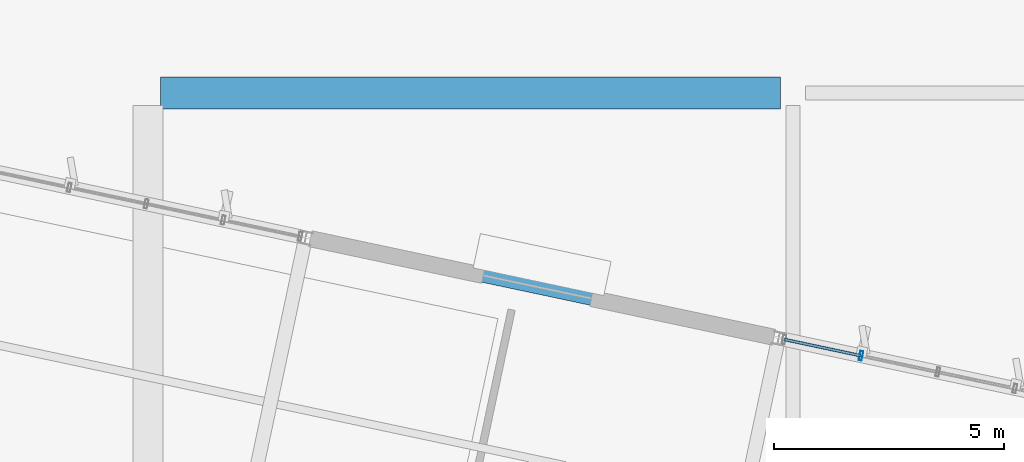
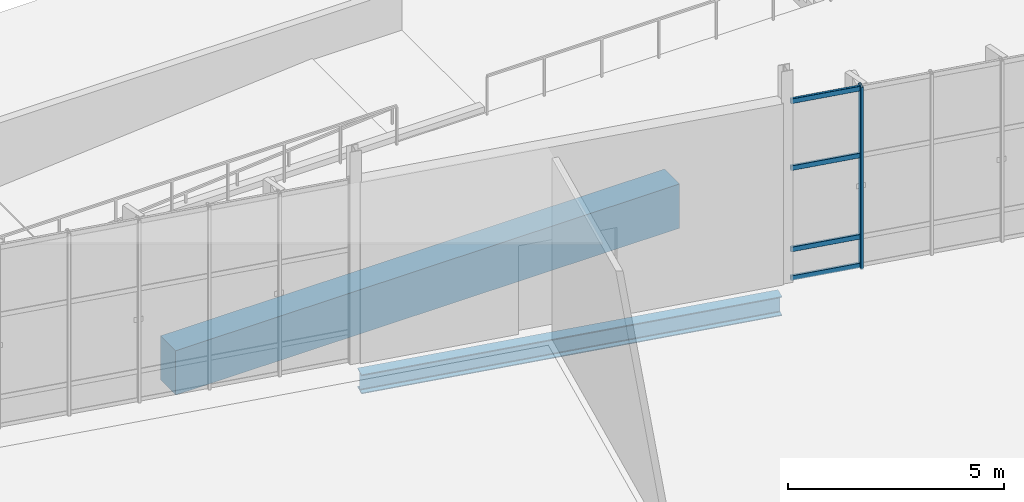
# One storey, part 57 of 163: 5 members, 2 beams, 1 element without a shape of its own.
"""IFC4 building model written with IfcOpenShell, lengths in metres."""

from ifc_helpers import new_model, si_unit, direction, frame, origin, origin_2d, place, context, subcontext, project, spatial, rectangle, hollow_rectangle, i_section, extrude, material, layer, layer_set, material_profile, profile_set, type_object, element, aggregate, save


model = new_model("IFC4")

# Units and contexts
model_context = context("Model", 3, precision=1e-05, world=origin(), true_north=direction((0.0, 1.0)))
body_context = subcontext(model_context, "Body", "Model", "MODEL_VIEW")
ifc_project = project(units=[si_unit("LENGTHUNIT", "METRE"), si_unit("AREAUNIT", "SQUARE_METRE"), si_unit("VOLUMEUNIT", "CUBIC_METRE"), si_unit("PLANEANGLEUNIT", "RADIAN"), si_unit("MASSUNIT", "GRAM", prefix="KILO")], contexts=[model_context])

# Site, building, storey
site_placement = place(None, origin())
site = spatial("IfcSite", under=ifc_project, at=site_placement, CompositionType="ELEMENT")
building_placement = place(site_placement, origin())
building = spatial("IfcBuilding", under=site, at=building_placement, Name="Khorjan Park Terminus", CompositionType="ELEMENT")
storey_placement = place(building_placement, origin())
storey = spatial("IfcBuildingStorey", under=building, at=storey_placement, Name="L00", CompositionType="ELEMENT", Elevation=0.0)

# Beams
ifc_material_1 = material(Name="Steel S355", Category="steel")
ifc_material_profile_1 = material_profile(ifc_material_1, i_section(OverallWidth=0.3, OverallDepth=0.54, WebThickness=0.0125, FlangeThickness=0.024, FilletRadius=0.027, at=origin_2d()), Name="HEA 550")
ifc_profile_set_1 = profile_set([ifc_material_profile_1], Name="Steel S355")
beam_type_1 = type_object("IfcBeamType", Name="BM-HEA550", PredefinedType="BEAM", material=ifc_profile_set_1)
beam_1_placement = place(storey_placement, frame((13.5507, 82.8274, -0.61), z_axis=(0.978146551768, -0.207916625754, 0.0), x_axis=(0.207916625754, 0.978146551768, 0.0)))
element("IfcBeam", 1, at=beam_1_placement, inside=storey, type_object=beam_type_1, Name="Primary skew-grid floor girder SB-A55 (L00)", PredefinedType="BEAM", context=body_context, shape_type="SweptSolid", body=[
    extrude(i_section(OverallWidth=0.3, OverallDepth=0.54, WebThickness=0.0125, FlangeThickness=0.024, FilletRadius=0.027, at=origin_2d()), origin(), (0.0, 0.0, 1.0), 10.2301),
])
ifc_material_2 = material(Name="Concrete C40/50", Category="concrete")
ifc_material_profile_2 = material_profile(ifc_material_2, rectangle(XDim=0.7, YDim=1.25, at=origin_2d()), Name="RC 700x1250")
ifc_profile_set_2 = profile_set([ifc_material_profile_2], Name="Concrete C40/50")
beam_type_2 = type_object("IfcBeamType", Name="BM-RC700x1250", PredefinedType="BEAM", material=ifc_profile_set_2)
beam_2_placement = place(storey_placement, frame((10.27, 86.0, -0.945), z_axis=(1.0, 0.0, 0.0), x_axis=(0.0, 1.0, 0.0)))
element("IfcBeam", 2, at=beam_2_placement, inside=storey, type_object=beam_type_2, Name="Primary floor girder GB-125 (L00)", PredefinedType="BEAM", context=body_context, shape_type="SweptSolid", body=[
    extrude(rectangle(XDim=0.7, YDim=1.25, at=origin_2d()), origin(), (0.0, 0.0, 1.0), 13.46),
])

# Curtain wall, members
ifc_material_3 = material(Name="Anodized Bronze Aluminium", Category="aluminium")
ifc_layer = layer(ifc_material_3, 0.22)
ifc_layer_set = layer_set([ifc_layer], Name="Anodized Bronze Aluminium")
curtain_wall_type = type_object("IfcCurtainWallType", Name="CW-PAV-C", PredefinedType="NOTDEFINED", material=ifc_layer_set)
curtain_wall_placement = place(storey_placement, origin())
curtain_wall = element("IfcCurtainWall", 3, at=curtain_wall_placement, inside=storey, type_object=curtain_wall_type, Name="Unitized curtain wall CW-C (CW-V4-N-L00-B01)", PredefinedType="NOTDEFINED")
ifc_material_profile_3 = material_profile(ifc_material_3, hollow_rectangle(XDim=0.07, YDim=0.2, WallThickness=0.005, InnerFilletRadius=0.005, OuterFilletRadius=0.01, at=origin_2d()), Name="ALM 70x200x5")
ifc_profile_set_3 = profile_set([ifc_material_profile_3], Name="Anodized Bronze Aluminium")
member_type_1 = type_object("IfcMemberType", Name="ML-ALM-200", PredefinedType="MULLION", material=ifc_profile_set_3)
member_1_placement = place(storey_placement, frame((25.4775, 80.2922, -0.035), z_axis=(0.0, 0.0, 1.0), x_axis=(-0.978149552254, 0.207902509423, 0.0)))
member_1 = element("IfcMember", 4, at=member_1_placement, type_object=member_type_1, Name="Curtain-wall mullion ML-20 (CW-V4-N-L00-B01-5)", PredefinedType="MULLION", context=body_context, shape_type="SweptSolid", body=[
    extrude(hollow_rectangle(XDim=0.07, YDim=0.2, WallThickness=0.005, InnerFilletRadius=0.005, OuterFilletRadius=0.01, at=origin_2d()), origin(), (0.0, 0.0, 1.0), 5.145),
])
ifc_material_profile_4 = material_profile(ifc_material_3, hollow_rectangle(XDim=0.065, YDim=0.14, WallThickness=0.004, InnerFilletRadius=0.004, OuterFilletRadius=0.008, at=origin_2d()), Name="ALT 65x140x4")
ifc_profile_set_4 = profile_set([ifc_material_profile_4], Name="Anodized Bronze Aluminium")
member_type_2 = type_object("IfcMemberType", Name="TR-ALT-140", PredefinedType="USERDEFINED", material=ifc_profile_set_4)
member_2_placement = place(storey_placement, frame((25.4775, 80.2922, 0.04), z_axis=(-0.978147990011, 0.207909859405, 0.0), x_axis=(-0.207909859405, -0.978147990011, 0.0)))
member_2 = element("IfcMember", 5, at=member_2_placement, type_object=member_type_2, Name="Curtain-wall transom TR-14 (CW-V4-N-L00-B01-5-1)", ObjectType="TRANSOM", PredefinedType="USERDEFINED", context=body_context, shape_type="SweptSolid", body=[
    extrude(hollow_rectangle(XDim=0.065, YDim=0.14, WallThickness=0.004, InnerFilletRadius=0.004, OuterFilletRadius=0.008, at=origin_2d()), origin(), (0.0, 0.0, 1.0), 1.7084),
])
member_3_placement = place(storey_placement, frame((25.4775, 80.2922, 0.85), z_axis=(-0.978147990011, 0.207909859405, 0.0), x_axis=(-0.207909859405, -0.978147990011, 0.0)))
member_3 = element("IfcMember", 6, at=member_3_placement, type_object=member_type_2, Name="Curtain-wall transom TR-14 (CW-V4-N-L00-B01-5-2)", ObjectType="TRANSOM", PredefinedType="USERDEFINED", context=body_context, shape_type="SweptSolid", body=[
    extrude(hollow_rectangle(XDim=0.065, YDim=0.14, WallThickness=0.004, InnerFilletRadius=0.004, OuterFilletRadius=0.008, at=origin_2d()), origin(), (0.0, 0.0, 1.0), 1.7084),
])
member_4_placement = place(storey_placement, frame((25.4775, 80.2922, 3.1465), z_axis=(-0.978147990011, 0.207909859405, 0.0), x_axis=(-0.207909859405, -0.978147990011, 0.0)))
member_4 = element("IfcMember", 7, at=member_4_placement, type_object=member_type_2, Name="Curtain-wall transom TR-14 (CW-V4-N-L00-B01-5-3)", ObjectType="TRANSOM", PredefinedType="USERDEFINED", context=body_context, shape_type="SweptSolid", body=[
    extrude(hollow_rectangle(XDim=0.065, YDim=0.14, WallThickness=0.004, InnerFilletRadius=0.004, OuterFilletRadius=0.008, at=origin_2d()), origin(), (0.0, 0.0, 1.0), 1.7084),
])
member_5_placement = place(storey_placement, frame((25.4775, 80.2922, 5.035), z_axis=(-0.978147990011, 0.207909859405, 0.0), x_axis=(-0.207909859405, -0.978147990011, 0.0)))
member_5 = element("IfcMember", 8, at=member_5_placement, type_object=member_type_2, Name="Curtain-wall transom TR-14 (CW-V4-N-L00-B01-5-4)", ObjectType="TRANSOM", PredefinedType="USERDEFINED", context=body_context, shape_type="SweptSolid", body=[
    extrude(hollow_rectangle(XDim=0.065, YDim=0.14, WallThickness=0.004, InnerFilletRadius=0.004, OuterFilletRadius=0.008, at=origin_2d()), origin(), (0.0, 0.0, 1.0), 1.7084),
])
aggregate(curtain_wall, [member_1, member_2, member_3, member_4, member_5])

save(model, "model.ifc")
